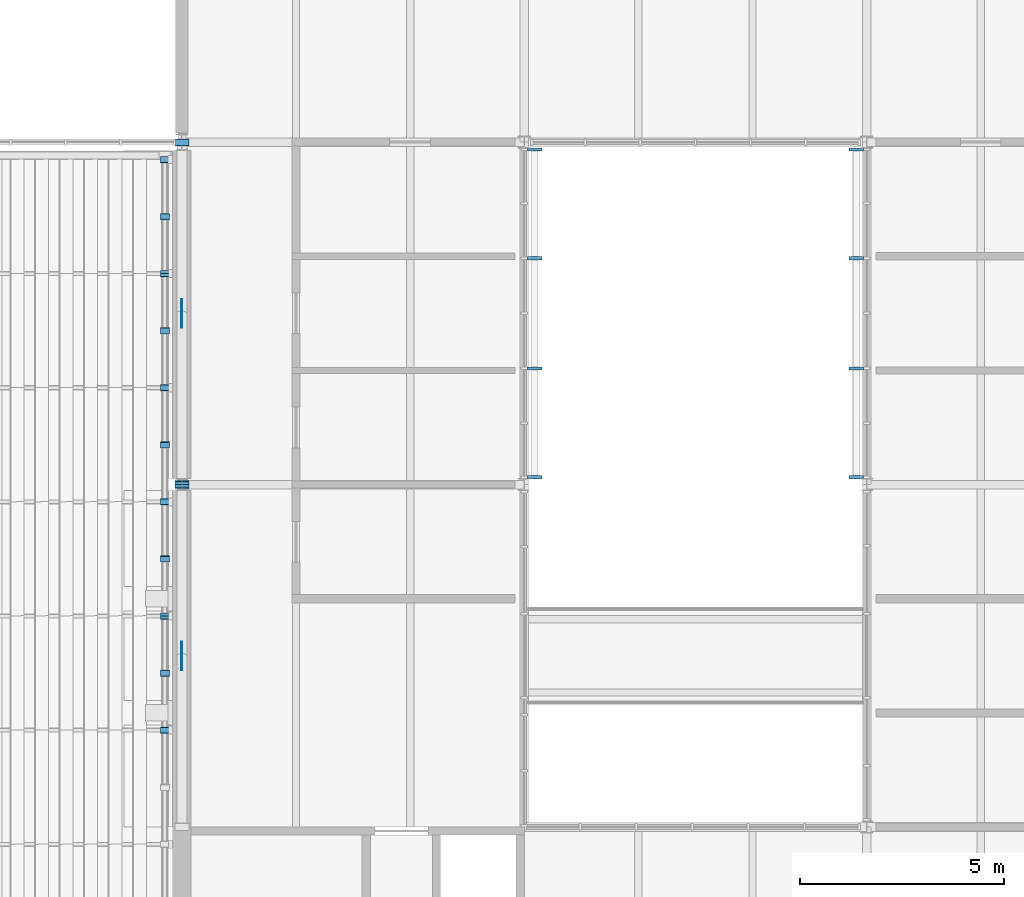
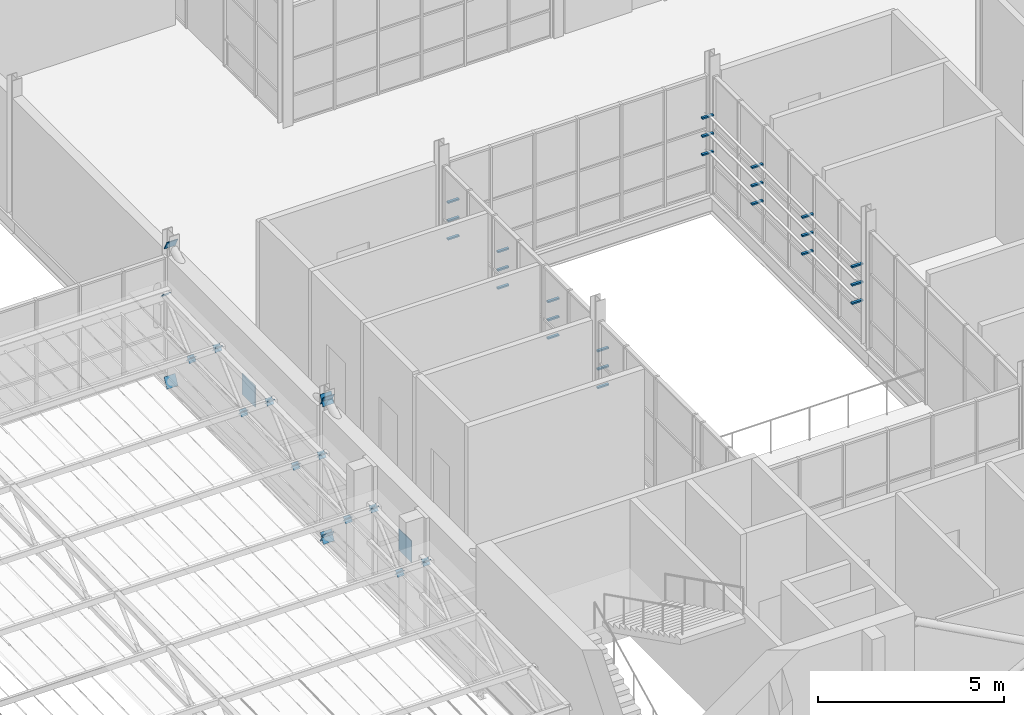
# One storey, part 109 of 129: 53 discrete accessories.
"""IFC4 building model written with IfcOpenShell, lengths in metres."""

from ifc_helpers import new_model, si_unit, direction, frame, origin, origin_2d, place, context, subcontext, project, spatial, rectangle, extrude, material, material_profile, profile_set, type_object, element, save


model = new_model("IFC4")

# Units and contexts
model_context = context("Model", 3, precision=1e-05, world=origin(), true_north=direction((0.0, 1.0)))
body_context = subcontext(model_context, "Body", "Model", "MODEL_VIEW")
ifc_project = project(units=[si_unit("LENGTHUNIT", "METRE"), si_unit("AREAUNIT", "SQUARE_METRE"), si_unit("VOLUMEUNIT", "CUBIC_METRE"), si_unit("PLANEANGLEUNIT", "RADIAN"), si_unit("MASSUNIT", "GRAM", prefix="KILO")], contexts=[model_context])

# Site, building, storey
site_placement = place(None, origin())
site = spatial("IfcSite", under=ifc_project, at=site_placement, CompositionType="ELEMENT")
building_placement = place(site_placement, origin())
building = spatial("IfcBuilding", under=site, at=building_placement, Name="Ardhachandra Cancer Care Centre", CompositionType="ELEMENT")
storey_placement = place(building_placement, frame((0.0, 0.0, 4.5)))
storey = spatial("IfcBuildingStorey", under=building, at=storey_placement, Name="L01", CompositionType="ELEMENT", Elevation=4.5)

# Discrete accessories
ifc_material_1 = material(Name="Steel E250 (IS 2062)", Category="steel")
ifc_material_profile_1 = material_profile(ifc_material_1, rectangle(XDim=0.344482421875, YDim=0.344482421875, at=origin_2d()), Name="PL 344x344x20")
ifc_profile_set_1 = profile_set([ifc_material_profile_1], Name="Steel E250 (IS 2062)")
discrete_accessory_type_1 = type_object("IfcDiscreteAccessoryType", Name="Brace end plate 344 x 344 x 20", PredefinedType="BRACKET", material=ifc_profile_set_1)
for number, where, z_axis, x_axis, name in (
    (1, (111.60009765625, 46.199951171875, 4.117919921875), (0.0, -0.884384752847, -0.466758619558), (1.0, 0.0, 0.0), "Brace end plate V4-Y1116-378 L01 A1"),
    (2, (111.60009765625, 46.199951171875, -0.39990234375), (0.0, -0.884384752847, 0.466758619558), (1.0, 0.0, 0.0), "Brace end plate V4-Y1116-378 L01 B10"),
    (3, (111.60009765625, 46.199951171875, -0.39990234375), (0.0, 0.884384752847, 0.466758619558), (-1.0, 0.0, 0.0), "Brace end plate V4-Y1116-462 L01 A0"),
):
    element("IfcDiscreteAccessory", number, at=place(storey_placement, frame(where, z_axis=z_axis, x_axis=x_axis)), inside=storey, type_object=discrete_accessory_type_1, Name=name, PredefinedType="BRACKET", context=body_context, shape_type="SweptSolid", body=[
        extrude(rectangle(XDim=0.344482421875, YDim=0.344482421875, at=origin_2d()), origin(), (0.0, 0.0, 1.0), 0.019775390625),
    ])
for number, where, z_axis, x_axis, name in (
    (4, (111.60009765625, 54.60009765625, 4.117919921875), (0.0, -0.887017774073, -0.461735279655), (1.0, 0.0, 0.0), "Brace end plate V4-Y1116-462 L01 A1"),
    (5, (111.60009765625, 54.60009765625, -0.39990234375), (0.0, -0.887017774073, 0.461735279655), (1.0, 0.0, 0.0), "Brace end plate V4-Y1116-462 L01 B10"),
):
    element("IfcDiscreteAccessory", number, at=place(storey_placement, frame(where, z_axis=z_axis, x_axis=x_axis)), inside=storey, type_object=discrete_accessory_type_1, Name=name, PredefinedType="BRACKET", context=body_context, shape_type="SweptSolid", body=[
        extrude(rectangle(XDim=0.344482421875, YDim=0.344482421875, at=origin_2d()), origin(), (0.0, 0.0, 1.0), 0.02001953125),
    ])
discrete_accessory_1_placement = place(storey_placement, frame((111.60009765625, 46.199951171875, 4.117919921875), z_axis=(0.0, 0.884384752847, -0.466758619558), x_axis=(-1.0, 0.0, 0.0)))
element("IfcDiscreteAccessory", 6, at=discrete_accessory_1_placement, inside=storey, type_object=discrete_accessory_type_1, Name="Brace end plate V4-Y1116-462 L01 B21", PredefinedType="BRACKET", context=body_context, shape_type="SweptSolid", body=[
    extrude(rectangle(XDim=0.344482421875, YDim=0.344482421875, at=origin_2d()), origin(), (0.0, 0.0, 1.0), 0.019775390625),
])
ifc_material_2 = material(Name="Steel E250 (IS 2062)", Category="steel")
ifc_material_profile_2 = material_profile(ifc_material_2, rectangle(XDim=0.699951171875, YDim=0.699951171875, at=origin_2d()), Name="PL 700x700x20")
ifc_profile_set_2 = profile_set([ifc_material_profile_2], Name="Steel E250 (IS 2062)")
discrete_accessory_type_2 = type_object("IfcDiscreteAccessoryType", Name="Brace node plate 700 x 700 x 20", PredefinedType="BRACKET", material=ifc_profile_set_2)
for number, where, z_axis, x_axis, name in (
    (7, (111.590087890625, 42.0, 1.85888671875), (1.0, 0.0, 0.0), (0.0, 1.0, 0.0), "Brace node plate V4-Y1116-378 L01"),
    (8, (111.590087890625, 50.39990234375, 1.85888671875), (1.0, 0.0, 0.0), (0.0, 1.0, 0.0), "Brace node plate V4-Y1116-462 L01"),
):
    element("IfcDiscreteAccessory", number, at=place(storey_placement, frame(where, z_axis=z_axis, x_axis=x_axis)), inside=storey, type_object=discrete_accessory_type_2, Name=name, PredefinedType="BRACKET", context=body_context, shape_type="SweptSolid", body=[
        extrude(rectangle(XDim=0.699951171875, YDim=0.699951171875, at=origin_2d()), origin(), (0.0, 0.0, 1.0), 0.02001953125),
    ])
ifc_material_3 = material(Name="Steel E250 (IS 2062)", Category="steel")
ifc_material_profile_3 = material_profile(ifc_material_3, rectangle(XDim=0.21435546875, YDim=0.21435546875, at=origin_2d()), Name="PL 214x214x12")
ifc_profile_set_3 = profile_set([ifc_material_profile_3], Name="Steel E250 (IS 2062)")
discrete_accessory_type_3 = type_object("IfcDiscreteAccessoryType", Name="Diagonal end plate 214 x 214 x 12", PredefinedType="BRACKET", material=ifc_profile_set_3)
for number, where, z_axis, x_axis, name in (
    (9, (111.18505859375, 54.175048828125, 2.853515625), (0.0, -0.746295434469, -0.665614846958), (1.0, 0.0, 0.0), "Diagonal end plate Canopy truss 9 web diagonal WD18 1"),
    (10, (111.18505859375, 52.77490234375, 1.590576171875), (0.0, 0.746295434469, 0.665614846958), (-1.0, 0.0, 0.0), "Diagonal end plate Canopy truss 9 web diagonal WD18 2"),
):
    element("IfcDiscreteAccessory", number, at=place(storey_placement, frame(where, z_axis=z_axis, x_axis=x_axis)), inside=storey, type_object=discrete_accessory_type_3, Name=name, PredefinedType="BRACKET", context=body_context, shape_type="SweptSolid", body=[
        extrude(rectangle(XDim=0.21435546875, YDim=0.21435546875, at=origin_2d()), origin(), (0.0, 0.0, 1.0), 0.01220703125),
    ])
discrete_accessory_2_placement = place(storey_placement, frame((111.18505859375, 52.77490234375, 1.590576171875), z_axis=(0.0, -0.756363172452, 0.654151932932), x_axis=(1.0, 0.0, 0.0)))
element("IfcDiscreteAccessory", 11, at=discrete_accessory_2_placement, inside=storey, type_object=discrete_accessory_type_3, Name="Diagonal end plate Canopy truss 9 web diagonal WD19 1", PredefinedType="BRACKET", context=body_context, shape_type="SweptSolid", body=[
    extrude(rectangle(XDim=0.21435546875, YDim=0.21435546875, at=origin_2d()), origin(), (0.0, 0.0, 1.0), 0.011962890625),
])
discrete_accessory_3_placement = place(storey_placement, frame((111.18505859375, 51.375, 2.797607421875), z_axis=(0.0, 0.746295434469, -0.665614846958), x_axis=(-1.0, 0.0, 0.0)))
element("IfcDiscreteAccessory", 12, at=discrete_accessory_3_placement, inside=storey, type_object=discrete_accessory_type_3, Name="Diagonal end plate Canopy truss 9 web diagonal WD19 2", PredefinedType="BRACKET", context=body_context, shape_type="SweptSolid", body=[
    extrude(rectangle(XDim=0.21435546875, YDim=0.21435546875, at=origin_2d()), origin(), (0.0, 0.0, 1.0), 0.01220703125),
])
for number, where, z_axis, x_axis, name in (
    (13, (111.18505859375, 51.375, 2.797607421875), (0.0, -0.737154140201, -0.675724628517), (1.0, 0.0, 0.0), "Diagonal end plate Canopy truss 9 web diagonal WD20 1"),
    (14, (111.18505859375, 49.97509765625, 1.534423828125), (0.0, 0.737154140201, 0.675724628517), (-1.0, 0.0, 0.0), "Diagonal end plate Canopy truss 9 web diagonal WD20 2"),
):
    element("IfcDiscreteAccessory", number, at=place(storey_placement, frame(where, z_axis=z_axis, x_axis=x_axis)), inside=storey, type_object=discrete_accessory_type_3, Name=name, PredefinedType="BRACKET", context=body_context, shape_type="SweptSolid", body=[
        extrude(rectangle(XDim=0.21435546875, YDim=0.21435546875, at=origin_2d()), origin(), (0.0, 0.0, 1.0), 0.011962890625),
    ])
discrete_accessory_4_placement = place(storey_placement, frame((111.18505859375, 49.97509765625, 1.534423828125), z_axis=(0.0, -0.764911198117, 0.644135745783), x_axis=(1.0, 0.0, 0.0)))
element("IfcDiscreteAccessory", 15, at=discrete_accessory_4_placement, inside=storey, type_object=discrete_accessory_type_3, Name="Diagonal end plate Canopy truss 9 web diagonal WD21 1", PredefinedType="BRACKET", context=body_context, shape_type="SweptSolid", body=[
    extrude(rectangle(XDim=0.21435546875, YDim=0.21435546875, at=origin_2d()), origin(), (0.0, 0.0, 1.0), 0.01220703125),
])
for number, where, z_axis, x_axis, name in (
    (16, (111.18505859375, 48.574951171875, 2.741455078125), (0.0, 0.756363172452, -0.654151932932), (-1.0, 0.0, 0.0), "Diagonal end plate Canopy truss 9 web diagonal WD21 2"),
    (17, (111.18505859375, 48.574951171875, 2.741455078125), (0.0, -0.737154140201, -0.675724628517), (1.0, 0.0, 0.0), "Diagonal end plate Canopy truss 9 web diagonal WD22 1"),
    (18, (111.18505859375, 47.175048828125, 1.478515625), (0.0, 0.737154140201, 0.675724628517), (-1.0, 0.0, 0.0), "Diagonal end plate Canopy truss 9 web diagonal WD22 2"),
    (19, (111.18505859375, 47.175048828125, 1.478515625), (0.0, -0.756363172452, 0.654151932932), (1.0, 0.0, 0.0), "Diagonal end plate Canopy truss 9 web diagonal WD23 1"),
):
    element("IfcDiscreteAccessory", number, at=place(storey_placement, frame(where, z_axis=z_axis, x_axis=x_axis)), inside=storey, type_object=discrete_accessory_type_3, Name=name, PredefinedType="BRACKET", context=body_context, shape_type="SweptSolid", body=[
        extrude(rectangle(XDim=0.21435546875, YDim=0.21435546875, at=origin_2d()), origin(), (0.0, 0.0, 1.0), 0.011962890625),
    ])
discrete_accessory_5_placement = place(storey_placement, frame((111.18505859375, 45.77490234375, 2.685546875), z_axis=(0.0, 0.764911198117, -0.644135745783), x_axis=(-1.0, 0.0, 0.0)))
element("IfcDiscreteAccessory", 20, at=discrete_accessory_5_placement, inside=storey, type_object=discrete_accessory_type_3, Name="Diagonal end plate Canopy truss 9 web diagonal WD23 2", PredefinedType="BRACKET", context=body_context, shape_type="SweptSolid", body=[
    extrude(rectangle(XDim=0.21435546875, YDim=0.21435546875, at=origin_2d()), origin(), (0.0, 0.0, 1.0), 0.01220703125),
])
discrete_accessory_6_placement = place(storey_placement, frame((111.18505859375, 45.77490234375, 2.685546875), z_axis=(0.0, -0.737154140201, -0.675724628517), x_axis=(1.0, 0.0, 0.0)))
element("IfcDiscreteAccessory", 21, at=discrete_accessory_6_placement, inside=storey, type_object=discrete_accessory_type_3, Name="Diagonal end plate Canopy truss 9 web diagonal WD24 1", PredefinedType="BRACKET", context=body_context, shape_type="SweptSolid", body=[
    extrude(rectangle(XDim=0.21435546875, YDim=0.21435546875, at=origin_2d()), origin(), (0.0, 0.0, 1.0), 0.011962890625),
])
discrete_accessory_7_placement = place(storey_placement, frame((111.18505859375, 44.375, 1.422607421875), z_axis=(0.0, 0.747409318684, 0.66436383883), x_axis=(-1.0, 0.0, 0.0)))
element("IfcDiscreteAccessory", 22, at=discrete_accessory_7_placement, inside=storey, type_object=discrete_accessory_type_3, Name="Diagonal end plate Canopy truss 9 web diagonal WD24 2", PredefinedType="BRACKET", context=body_context, shape_type="SweptSolid", body=[
    extrude(rectangle(XDim=0.21435546875, YDim=0.21435546875, at=origin_2d()), origin(), (0.0, 0.0, 1.0), 0.01171875),
])
for number, where, z_axis, x_axis, name in (
    (23, (111.18505859375, 44.375, 1.422607421875), (0.0, -0.756363172452, 0.654151932932), (1.0, 0.0, 0.0), "Diagonal end plate Canopy truss 9 web diagonal WD25 1"),
    (24, (111.18505859375, 42.97509765625, 2.62939453125), (0.0, 0.756363172452, -0.654151932932), (-1.0, 0.0, 0.0), "Diagonal end plate Canopy truss 9 web diagonal WD25 2"),
    (25, (111.18505859375, 42.97509765625, 2.62939453125), (0.0, -0.756363172452, -0.654151932932), (1.0, 0.0, 0.0), "Diagonal end plate Canopy truss 9 web diagonal WD26 1"),
):
    element("IfcDiscreteAccessory", number, at=place(storey_placement, frame(where, z_axis=z_axis, x_axis=x_axis)), inside=storey, type_object=discrete_accessory_type_3, Name=name, PredefinedType="BRACKET", context=body_context, shape_type="SweptSolid", body=[
        extrude(rectangle(XDim=0.21435546875, YDim=0.21435546875, at=origin_2d()), origin(), (0.0, 0.0, 1.0), 0.011962890625),
    ])
discrete_accessory_8_placement = place(storey_placement, frame((111.18505859375, 41.574951171875, 1.366455078125), z_axis=(0.0, 0.746295434469, 0.665614846958), x_axis=(-1.0, 0.0, 0.0)))
element("IfcDiscreteAccessory", 26, at=discrete_accessory_8_placement, inside=storey, type_object=discrete_accessory_type_3, Name="Diagonal end plate Canopy truss 9 web diagonal WD26 2", PredefinedType="BRACKET", context=body_context, shape_type="SweptSolid", body=[
    extrude(rectangle(XDim=0.21435546875, YDim=0.21435546875, at=origin_2d()), origin(), (0.0, 0.0, 1.0), 0.01220703125),
])
for number, where, z_axis, x_axis, name in (
    (27, (111.18505859375, 41.574951171875, 1.366455078125), (0.0, -0.756363172452, 0.654151932932), (1.0, 0.0, 0.0), "Diagonal end plate Canopy truss 9 web diagonal WD27 1"),
    (28, (111.18505859375, 40.175048828125, 2.573486328125), (0.0, 0.756363172452, -0.654151932932), (-1.0, 0.0, 0.0), "Diagonal end plate Canopy truss 9 web diagonal WD27 2"),
):
    element("IfcDiscreteAccessory", number, at=place(storey_placement, frame(where, z_axis=z_axis, x_axis=x_axis)), inside=storey, type_object=discrete_accessory_type_3, Name=name, PredefinedType="BRACKET", context=body_context, shape_type="SweptSolid", body=[
        extrude(rectangle(XDim=0.21435546875, YDim=0.21435546875, at=origin_2d()), origin(), (0.0, 0.0, 1.0), 0.011962890625),
    ])
discrete_accessory_9_placement = place(storey_placement, frame((111.18505859375, 40.175048828125, 2.573486328125), z_axis=(0.0, -0.746295434469, -0.665614846958), x_axis=(1.0, 0.0, 0.0)))
element("IfcDiscreteAccessory", 29, at=discrete_accessory_9_placement, inside=storey, type_object=discrete_accessory_type_3, Name="Diagonal end plate Canopy truss 9 web diagonal WD28 1", PredefinedType="BRACKET", context=body_context, shape_type="SweptSolid", body=[
    extrude(rectangle(XDim=0.21435546875, YDim=0.21435546875, at=origin_2d()), origin(), (0.0, 0.0, 1.0), 0.01220703125),
])
ifc_material_4 = material(Name="Galvanised flat steel (Steel E250 (IS 2062))", Category="steel")
discrete_accessory_type_4 = type_object("IfcDiscreteAccessoryType", Name="Louvre bracket 80 x 350", PredefinedType="BRACKET", material=ifc_material_4)
for number, where, z_axis, x_axis, name in (
    (30, (120.2548828125, 46.3798828125, 1.38427734375), (0.0, 0.0, 1.0), (0.0, 1.0, 0.0), "Louvre bracket L01/e/0120000_0046200 1.1"),
    (31, (120.2548828125, 49.050048828125, 1.38427734375), (0.0, 0.0, 1.0), (0.0, 1.0, 0.0), "Louvre bracket L01/e/0120000_0046200 1.2"),
    (32, (120.2548828125, 51.75, 1.38427734375), (0.0, 0.0, 1.0), (0.0, 1.0, 0.0), "Louvre bracket L01/e/0120000_0046200 1.3"),
    (33, (120.2548828125, 54.419921875, 1.38427734375), (0.0, 0.0, 1.0), (0.0, 1.0, 0.0), "Louvre bracket L01/e/0120000_0046200 1.4"),
    (34, (120.2548828125, 46.3798828125, 1.984375), (0.0, 0.0, 1.0), (0.0, 1.0, 0.0), "Louvre bracket L01/e/0120000_0046200 2.1"),
    (35, (120.2548828125, 49.050048828125, 1.984375), (0.0, 0.0, 1.0), (0.0, 1.0, 0.0), "Louvre bracket L01/e/0120000_0046200 2.2"),
    (36, (120.2548828125, 51.75, 1.984375), (0.0, 0.0, 1.0), (0.0, 1.0, 0.0), "Louvre bracket L01/e/0120000_0046200 2.3"),
    (37, (120.2548828125, 54.419921875, 1.984375), (0.0, 0.0, 1.0), (0.0, 1.0, 0.0), "Louvre bracket L01/e/0120000_0046200 2.4"),
    (38, (120.2548828125, 46.3798828125, 2.58447265625), (0.0, 0.0, 1.0), (0.0, 1.0, 0.0), "Louvre bracket L01/e/0120000_0046200 3.1"),
    (39, (120.2548828125, 49.050048828125, 2.58447265625), (0.0, 0.0, 1.0), (0.0, 1.0, 0.0), "Louvre bracket L01/e/0120000_0046200 3.2"),
    (40, (120.2548828125, 51.75, 2.58447265625), (0.0, 0.0, 1.0), (0.0, 1.0, 0.0), "Louvre bracket L01/e/0120000_0046200 3.3"),
    (41, (120.2548828125, 54.419921875, 2.58447265625), (0.0, 0.0, 1.0), (0.0, 1.0, 0.0), "Louvre bracket L01/e/0120000_0046200 3.4"),
    (42, (128.14501953125, 46.3798828125, 1.38427734375), (0.0, 0.0, 1.0), (0.0, 1.0, 0.0), "Louvre bracket L01/w/0128400_0046200 1.1"),
    (43, (128.14501953125, 49.050048828125, 1.38427734375), (0.0, 0.0, 1.0), (0.0, 1.0, 0.0), "Louvre bracket L01/w/0128400_0046200 1.2"),
    (44, (128.14501953125, 51.75, 1.38427734375), (0.0, 0.0, 1.0), (0.0, 1.0, 0.0), "Louvre bracket L01/w/0128400_0046200 1.3"),
    (45, (128.14501953125, 54.419921875, 1.38427734375), (0.0, 0.0, 1.0), (0.0, 1.0, 0.0), "Louvre bracket L01/w/0128400_0046200 1.4"),
    (46, (128.14501953125, 46.3798828125, 1.984375), (0.0, 0.0, 1.0), (0.0, 1.0, 0.0), "Louvre bracket L01/w/0128400_0046200 2.1"),
    (47, (128.14501953125, 49.050048828125, 1.984375), (0.0, 0.0, 1.0), (0.0, 1.0, 0.0), "Louvre bracket L01/w/0128400_0046200 2.2"),
    (48, (128.14501953125, 51.75, 1.984375), (0.0, 0.0, 1.0), (0.0, 1.0, 0.0), "Louvre bracket L01/w/0128400_0046200 2.3"),
    (49, (128.14501953125, 54.419921875, 1.984375), (0.0, 0.0, 1.0), (0.0, 1.0, 0.0), "Louvre bracket L01/w/0128400_0046200 2.4"),
    (50, (128.14501953125, 46.3798828125, 2.58447265625), (0.0, 0.0, 1.0), (0.0, 1.0, 0.0), "Louvre bracket L01/w/0128400_0046200 3.1"),
    (51, (128.14501953125, 49.050048828125, 2.58447265625), (0.0, 0.0, 1.0), (0.0, 1.0, 0.0), "Louvre bracket L01/w/0128400_0046200 3.2"),
    (52, (128.14501953125, 51.75, 2.58447265625), (0.0, 0.0, 1.0), (0.0, 1.0, 0.0), "Louvre bracket L01/w/0128400_0046200 3.3"),
    (53, (128.14501953125, 54.419921875, 2.58447265625), (0.0, 0.0, 1.0), (0.0, 1.0, 0.0), "Louvre bracket L01/w/0128400_0046200 3.4"),
):
    element("IfcDiscreteAccessory", number, at=place(storey_placement, frame(where, z_axis=z_axis, x_axis=x_axis)), inside=storey, type_object=discrete_accessory_type_4, Name=name, PredefinedType="BRACKET", context=body_context, shape_type="SweptSolid", body=[
        extrude(rectangle(XDim=0.080078125, YDim=0.35009765625, at=origin_2d()), origin(), (0.0, 0.0, 1.0), 0.050048828125),
    ])

save(model, "model.ifc")
